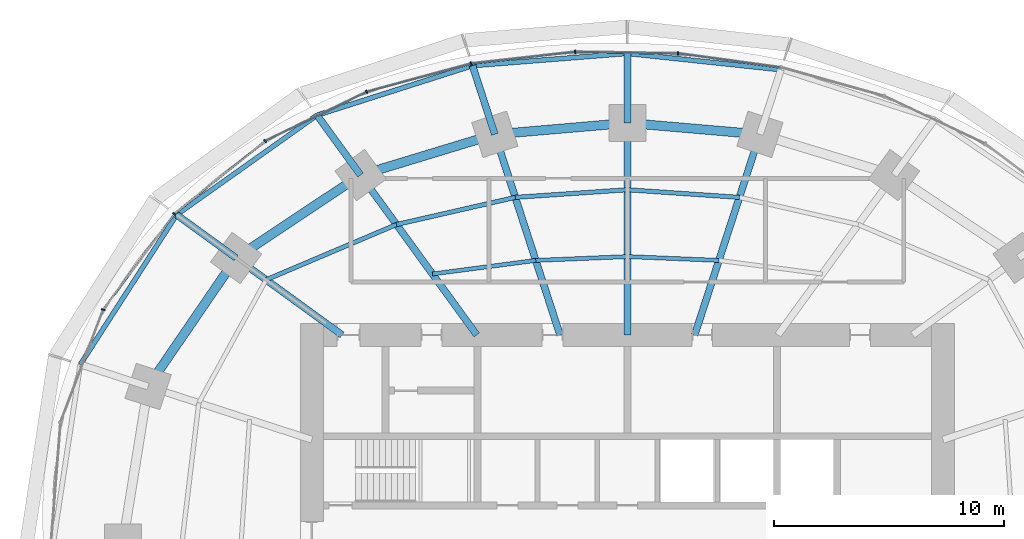
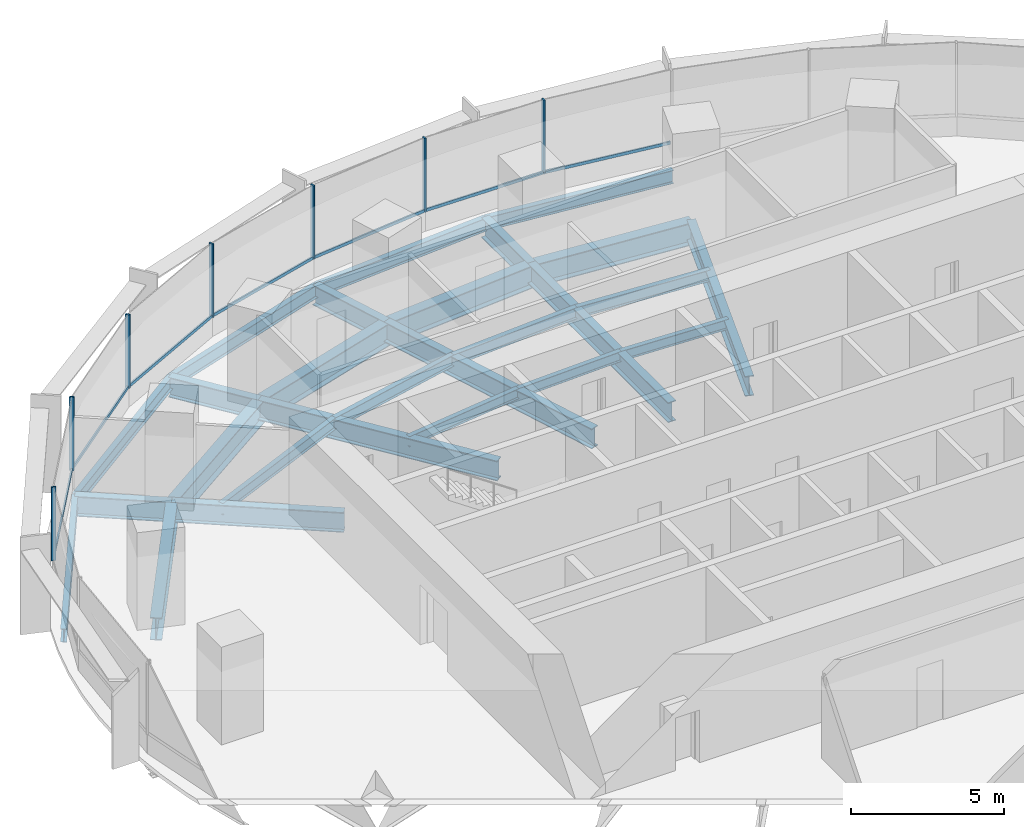
# One storey, part 7 of 14: 26 beams, 14 members, 2 elements without a shape of their own.
"""IFC4 building model written with IfcOpenShell, lengths in metres."""

import ifcopenshell
import ifcopenshell.guid

model = None  # the IFC model being written
_history = None  # IfcOwnerHistory: only IFC2X3 demands one
_inside = {}  # id of a spatial element -> (the spatial element, [elements in it])
_under = {}  # id of a project, library or spatial element -> (it, [spatial elements below it])
_declared = {}  # id of a project -> (the project, [libraries it declares])
_typed = {}  # id of a type object -> (the type object, [elements of that type])
_made_of = {}  # id of a material, layer set ... -> (it, [elements and type objects made of it])


def new_model(schema):
    """Start an empty IFC model of exactly this schema.

    Asked for "IFC4X3", IfcOpenShell would pick the latest addendum, in which some entities
    have other attributes; the version numbers below select the first issue.
    IFC2X3 requires an IfcOwnerHistory on every rooted entity: one is made here for all.
    """
    global model, _history
    if schema == "IFC4X3":
        model = ifcopenshell.file(schema_version=(4, 3, 0, 0))
    else:
        model = ifcopenshell.file(schema=schema)
    _inside.clear()
    _under.clear()
    _declared.clear()
    _typed.clear()
    _made_of.clear()
    _history = None
    if model.schema == "IFC2X3":
        org = make("IfcOrganization", Name="unknown")
        user = make(
            "IfcPersonAndOrganization",
            ThePerson=make("IfcPerson", FamilyName="unknown"),
            TheOrganization=org,
        )
        app = make(
            "IfcApplication",
            ApplicationDeveloper=org,
            Version="unknown",
            ApplicationFullName="unknown",
            ApplicationIdentifier="unknown",
        )
        _history = make(
            "IfcOwnerHistory",
            OwningUser=user,
            OwningApplication=app,
            ChangeAction="ADDED",
            CreationDate=0,
        )
    return model


def make(cls, **values):
    """One entity of the class cls with the attributes given. An attribute that is None is left unset."""
    return model.create_entity(
        cls, **{name: value for name, value in values.items() if value is not None}
    )


def rooted(cls, **values):
    """An entity with a GlobalId (a new one), such as an element, a storey or a relation."""
    return make(cls, GlobalId=ifcopenshell.guid.new(), OwnerHistory=_history, **values)


def si_unit(unit_type, name, prefix=None):
    """IfcSIUnit, for example si_unit("LENGTHUNIT", "METRE", prefix="MILLI")."""
    return make("IfcSIUnit", UnitType=unit_type, Prefix=prefix, Name=name)


def assignment(units):
    """IfcUnitAssignment: the units of a project."""
    return None if units is None else make("IfcUnitAssignment", Units=units)


def point(xyz):
    """IfcCartesianPoint."""
    return None if xyz is None else make("IfcCartesianPoint", Coordinates=xyz)


def direction(xyz):
    """IfcDirection."""
    return None if xyz is None else make("IfcDirection", DirectionRatios=xyz)


def frame(location, z_axis=None, x_axis=None):
    """IfcAxis2Placement3D, a coordinate frame: its origin and axes. An axis left out is left unset."""
    return make(
        "IfcAxis2Placement3D",
        Location=point(location),
        Axis=direction(z_axis),
        RefDirection=direction(x_axis),
    )


def frame_2d(location, x_axis=None):
    """IfcAxis2Placement2D, a coordinate frame in the plane: its origin and x axis."""
    return make(
        "IfcAxis2Placement2D", Location=point(location), RefDirection=direction(x_axis)
    )


def origin():
    """The frame at (0, 0, 0) with its axes left unset."""
    return frame((0.0, 0.0, 0.0))


def origin_2d():
    """The frame at (0, 0) in the plane with its x axis left unset."""
    return frame_2d((0.0, 0.0))


def place(relative_to, where):
    """IfcLocalPlacement: puts the frame where relative to a parent placement (None: the world)."""
    return make(
        "IfcLocalPlacement", PlacementRelTo=relative_to, RelativePlacement=where
    )


def context(
    kind, dimensions, precision=None, world=None, true_north=None, identifier=None
):
    """IfcGeometricRepresentationContext, for example the 3D "Model" context."""
    return make(
        "IfcGeometricRepresentationContext",
        ContextIdentifier=identifier,
        ContextType=kind,
        CoordinateSpaceDimension=dimensions,
        Precision=precision,
        WorldCoordinateSystem=world,
        TrueNorth=true_north,
    )


def subcontext(parent, identifier, kind, view, scale=None):
    """IfcGeometricRepresentationSubContext, for example "Body" below "Model"."""
    return make(
        "IfcGeometricRepresentationSubContext",
        ContextIdentifier=identifier,
        ContextType=kind,
        ParentContext=parent,
        TargetScale=scale,
        TargetView=view,
    )


def project(units=None, contexts=None):
    """IfcProject with its units and contexts."""
    return rooted(
        "IfcProject",
        Name="project",
        RepresentationContexts=contexts,
        UnitsInContext=assignment(units),
    )


def spatial(cls, under=None, at=None, **own):
    """A site, building, storey or space (cls), placed at a placement, below another one or the project."""
    s = rooted(cls, ObjectPlacement=at, **own)
    if under is not None:
        _under.setdefault(under.id(), (under, []))[1].append(s)
    return s


def profile(cls, at=None, kind="AREA", **sizes):
    """A parametric profile (cls). Its sizes go by their IFC names, for example OverallWidth=200.0."""
    return make(cls, ProfileType=kind, Position=at, **sizes)


def rectangle(**sizes):
    """IfcRectangleProfileDef."""
    return profile("IfcRectangleProfileDef", **sizes)


def i_section(**sizes):
    """IfcIShapeProfileDef."""
    return profile("IfcIShapeProfileDef", **sizes)


def extrude(swept, where, along, depth):
    """IfcExtrudedAreaSolid: the profile swept, set in the frame where, extruded along a direction by depth."""
    return make(
        "IfcExtrudedAreaSolid",
        SweptArea=swept,
        Position=where,
        ExtrudedDirection=direction(along),
        Depth=depth,
    )


def shape(context_of_items, identifier, shape_type, items):
    """IfcShapeRepresentation: the items that make up one representation, for example the "Body"."""
    return make(
        "IfcShapeRepresentation",
        ContextOfItems=context_of_items,
        RepresentationIdentifier=identifier,
        RepresentationType=shape_type,
        Items=items,
    )


def material(Name=None, Category=None):
    """IfcMaterial."""
    return make("IfcMaterial", Name=Name, Category=Category)


def material_profile(
    of_material, cross_section, Name=None, Category=None, Priority=None
):
    """IfcMaterialProfile: a cross section and its material."""
    return make(
        "IfcMaterialProfile",
        Name=Name,
        Material=of_material,
        Profile=cross_section,
        Priority=Priority,
        Category=Category,
    )


def profile_set(profiles, Name=None, composite=None):
    """IfcMaterialProfileSet."""
    return make(
        "IfcMaterialProfileSet",
        Name=Name,
        MaterialProfiles=profiles,
        CompositeProfile=composite,
    )


def made_of(thing, what):
    """Note that an element or type object is made of a material, layer set ...; save() writes the relation."""
    if what is not None:
        _made_of.setdefault(what.id(), (what, []))[1].append(thing)
    return thing


def type_object(cls, material=None, **own):
    """A type object (cls), such as IfcWallType, which elements share."""
    return made_of(rooted(cls, **own), material)


def element(
    cls,
    number,
    at=None,
    inside=None,
    cuts=None,
    type_object=None,
    material=None,
    context=None,
    identifier="Body",
    shape_type=None,
    held_by="IfcProductDefinitionShape",
    body=None,
    shapes=None,
    **own,
):
    """One element of the class cls, such as IfcWall. Its Tag is "e" and its number.

    at: its placement. inside: the storey or other place that contains it. cuts: it is an
    opening in that element (IfcRelVoidsElement). A single representation is given by context,
    identifier, shape_type and body (its items); several are given by shapes. held_by: the class
    of the entity that holds the representations. save() writes the other relations.
    """
    e = rooted(cls, Tag="e%d" % number, ObjectPlacement=at, **own)
    if body is not None:
        shapes = [shape(context, identifier, shape_type, body)]
    if shapes is not None:
        e.Representation = make(held_by, Representations=shapes)
    if inside is not None:
        _inside.setdefault(inside.id(), (inside, []))[1].append(e)
    if cuts is not None:
        rooted(
            "IfcRelVoidsElement", RelatingBuildingElement=cuts, RelatedOpeningElement=e
        )
    if type_object is not None:
        _typed.setdefault(type_object.id(), (type_object, []))[1].append(e)
    return made_of(e, material)


def aggregate(whole, parts):
    """IfcRelAggregates: a whole, such as a stair, and the parts it consists of."""
    return rooted("IfcRelAggregates", RelatingObject=whole, RelatedObjects=parts)


def save(model, path):
    """Write the relations noted so far, then the file.

    IfcRelAggregates (storeys below a building ...), IfcRelContainedInSpatialStructure (elements
    in a storey), IfcRelDefinesByType, IfcRelAssociatesMaterial and IfcRelDeclares: one each for
    every whole, place, type object, material and project.
    """
    for whole, parts in _under.values():
        aggregate(whole, parts)
    for where, things in _inside.values():
        rooted(
            "IfcRelContainedInSpatialStructure",
            RelatedElements=things,
            RelatingStructure=where,
        )
    for kind, things in _typed.values():
        rooted("IfcRelDefinesByType", RelatedObjects=things, RelatingType=kind)
    for what, things in _made_of.values():
        rooted("IfcRelAssociatesMaterial", RelatedObjects=things, RelatingMaterial=what)
    for by, libraries in _declared.values():
        rooted("IfcRelDeclares", RelatingContext=by, RelatedDefinitions=libraries)
    model.write(path)


model = new_model("IFC4")

# Units and contexts
model_context = context("Model", 3, precision=1e-05, world=origin(), true_north=direction((0.0, 1.0)))
body_context = subcontext(model_context, "Body", "Model", "MODEL_VIEW")
ifc_project = project(units=[si_unit("LENGTHUNIT", "METRE"), si_unit("AREAUNIT", "SQUARE_METRE"), si_unit("VOLUMEUNIT", "CUBIC_METRE"), si_unit("PLANEANGLEUNIT", "RADIAN"), si_unit("MASSUNIT", "GRAM", prefix="KILO")], contexts=[model_context])

# Site, building, storey
site_placement = place(None, origin())
site = spatial("IfcSite", under=ifc_project, at=site_placement, CompositionType="ELEMENT")
building_placement = place(site_placement, origin())
building = spatial("IfcBuilding", under=site, at=building_placement, Name="Marramba Exchange Tower", CompositionType="ELEMENT")
storey_placement = place(building_placement, frame((0.0, 0.0, 154.800048828125)))
storey = spatial("IfcBuildingStorey", under=building, at=storey_placement, Name="L37", CompositionType="ELEMENT", Elevation=154.800048828125)

# Beams
ifc_material_1 = material(Name="Steel AS/NZS 3679.2 grade 300", Category="steel")
ifc_material_profile_1 = material_profile(ifc_material_1, i_section(OverallWidth=0.300048828125, OverallDepth=0.800048828125, WebThickness=0.013916015625, FlangeThickness=0.031982421875, at=origin_2d()), Name="800WB192")
ifc_profile_set_1 = profile_set([ifc_material_profile_1], Name="Steel AS/NZS 3679.2 grade 300")
beam_type_1 = type_object("IfcBeamType", Name="Cantilever girder 800WB192", PredefinedType="BEAM", material=ifc_profile_set_1)
beam_1_placement = place(storey_placement, frame((0.0, 18.2041015625, -0.56005859375), z_axis=(0.0, 1.0, 0.0), x_axis=(-1.0, 0.0, 0.0)))
element("IfcBeam", 1, at=beam_1_placement, inside=storey, type_object=beam_type_1, Name="Cantilever girder L37 TC06", PredefinedType="BEAM", context=body_context, shape_type="SweptSolid", body=[
    extrude(i_section(OverallWidth=0.300048828125, OverallDepth=0.800048828125, WebThickness=0.013916015625, FlangeThickness=0.031982421875, at=origin_2d()), origin(), (0.0, 0.0, 1.0), 3.01904296875),
])
beam_2_placement = place(storey_placement, frame((-5.75390625, 17.70849609375, -0.56005859375), z_axis=(-0.309028002802, 0.95105293937, 0.0), x_axis=(-0.95105293937, -0.309028002802, 0.0)))
element("IfcBeam", 2, at=beam_2_placement, inside=storey, type_object=beam_type_1, Name="Cantilever girder L37 TC07", PredefinedType="BEAM", context=body_context, shape_type="SweptSolid", body=[
    extrude(i_section(OverallWidth=0.300048828125, OverallDepth=0.800048828125, WebThickness=0.013916015625, FlangeThickness=0.031982421875, at=origin_2d()), origin(), (0.0, 0.0, 1.0), 3.13720703125),
])
beam_3_placement = place(storey_placement, frame((-11.581298828125, 15.9404296875, -0.56005859375), z_axis=(-0.587828447158, 0.808985609706, 0.0), x_axis=(-0.808985609706, -0.587828447158, 0.0)))
element("IfcBeam", 3, at=beam_3_placement, inside=storey, type_object=beam_type_1, Name="Cantilever girder L37 TC08", PredefinedType="BEAM", context=body_context, shape_type="SweptSolid", body=[
    extrude(i_section(OverallWidth=0.300048828125, OverallDepth=0.800048828125, WebThickness=0.013916015625, FlangeThickness=0.031982421875, at=origin_2d()), origin(), (0.0, 0.0, 1.0), 3.214599609375),
])
beam_4_placement = place(storey_placement, frame((-16.98583984375, 12.3408203125, -0.56005859375), z_axis=(-0.809013857915, 0.587789569234, 0.0), x_axis=(-0.587789569234, -0.809013857915, 0.0)))
element("IfcBeam", 4, at=beam_4_placement, inside=storey, type_object=beam_type_1, Name="Cantilever girder L37 TC09", PredefinedType="BEAM", context=body_context, shape_type="SweptSolid", body=[
    extrude(i_section(OverallWidth=0.300048828125, OverallDepth=0.800048828125, WebThickness=0.013916015625, FlangeThickness=0.031982421875, at=origin_2d()), origin(), (0.0, 0.0, 1.0), 3.191650390625),
])
ifc_material_2 = material(Name="Steel AS/NZS 3679.1 grade 300", Category="steel")
ifc_material_profile_2 = material_profile(ifc_material_2, i_section(OverallWidth=0.177978515625, OverallDepth=0.406005859375, WebThickness=0.0078125, FlangeThickness=0.0126953125, FilletRadius=0.011474609375, at=origin_2d()), Name="410UB59.7")
ifc_profile_set_2 = profile_set([ifc_material_profile_2], Name="Steel AS/NZS 3679.1 grade 300")
beam_type_2 = type_object("IfcBeamType", Name="Floor joist 410UB59.7", PredefinedType="JOIST", material=ifc_profile_set_2)
for number, where, z_axis, x_axis, name in (
    (5, (3.975830078125, 12.236083984375, -0.363037109375), (-0.999137002892, 0.041536122257, 0.0), (-0.041536122257, -0.999137002892, 0.0), "Joist L37 bay 05 row 1"),
    (6, (0.0, 12.4013671875, -0.363037109375), (-0.999137002892, -0.041536122257, 0.0), (0.041536122257, -0.999137002892, 0.0), "Joist L37 bay 06 row 1"),
):
    element("IfcBeam", number, at=place(storey_placement, frame(where, z_axis=z_axis, x_axis=x_axis)), inside=storey, type_object=beam_type_2, Name=name, PredefinedType="JOIST", context=body_context, shape_type="SweptSolid", body=[
        extrude(i_section(OverallWidth=0.177978515625, OverallDepth=0.406005859375, WebThickness=0.0078125, FlangeThickness=0.0126953125, FilletRadius=0.011474609375, at=origin_2d()), origin(), (0.0, 0.0, 1.0), 3.979248046875),
    ])
beam_5_placement = place(storey_placement, frame((-3.975830078125, 12.236083984375, -0.363037109375), z_axis=(-0.991480538255, -0.130254912618, 0.0), x_axis=(0.130254912618, -0.991480538255, 0.0)))
element("IfcBeam", 7, at=beam_5_placement, inside=storey, type_object=beam_type_2, Name="Joist L37 bay 07 row 1", PredefinedType="JOIST", context=body_context, shape_type="SweptSolid", body=[
    extrude(i_section(OverallWidth=0.177978515625, OverallDepth=0.406005859375, WebThickness=0.0078125, FlangeThickness=0.0126953125, FilletRadius=0.011474609375, at=origin_2d()), origin(), (0.0, 0.0, 1.0), 4.524658203125),
])
ifc_material_profile_3 = material_profile(ifc_material_2, i_section(OverallWidth=0.18994140625, OverallDepth=0.4541015625, WebThickness=0.008544921875, FlangeThickness=0.0126953125, FilletRadius=0.011474609375, at=origin_2d()), Name="460UB67.1")
ifc_profile_set_3 = profile_set([ifc_material_profile_3], Name="Steel AS/NZS 3679.1 grade 300")
beam_type_3 = type_object("IfcBeamType", Name="Floor joist 460UB67.1", PredefinedType="JOIST", material=ifc_profile_set_3)
for number, where, z_axis, x_axis, name in (
    (8, (4.86474609375, 14.972412109375, -0.386962890625), (-0.997702652202, 0.067745241816, 0.0), (-0.067745241816, -0.997702652202, 0.0), "Joist L37 bay 05 row 2"),
    (9, (0.0, 15.302734375, -0.386962890625), (-0.997702652202, -0.067745241816, 0.0), (0.067745241816, -0.997702652202, 0.0), "Joist L37 bay 06 row 2"),
):
    element("IfcBeam", number, at=place(storey_placement, frame(where, z_axis=z_axis, x_axis=x_axis)), inside=storey, type_object=beam_type_3, Name=name, PredefinedType="JOIST", context=body_context, shape_type="SweptSolid", body=[
        extrude(i_section(OverallWidth=0.18994140625, OverallDepth=0.4541015625, WebThickness=0.008544921875, FlangeThickness=0.0126953125, FilletRadius=0.011474609375, at=origin_2d()), origin(), (0.0, 0.0, 1.0), 4.8759765625),
    ])
beam_6_placement = place(storey_placement, frame((-4.86474609375, 14.972412109375, -0.386962890625), z_axis=(-0.974859652292, -0.222819788916, 0.0), x_axis=(0.222819788916, -0.974859652292, 0.0)))
element("IfcBeam", 10, at=beam_6_placement, inside=storey, type_object=beam_type_3, Name="Joist L37 bay 07 row 2", PredefinedType="JOIST", context=body_context, shape_type="SweptSolid", body=[
    extrude(i_section(OverallWidth=0.18994140625, OverallDepth=0.4541015625, WebThickness=0.008544921875, FlangeThickness=0.0126953125, FilletRadius=0.011474609375, at=origin_2d()), origin(), (0.0, 0.0, 1.0), 5.2900390625),
])
beam_7_placement = place(storey_placement, frame((-10.021728515625, 13.793701171875, -0.386962890625), z_axis=(-0.920674336375, -0.390331610738, 0.0), x_axis=(0.390331610738, -0.920674336375, 0.0)))
element("IfcBeam", 11, at=beam_7_placement, inside=storey, type_object=beam_type_3, Name="Joist L37 bay 08 row 2", PredefinedType="JOIST", context=body_context, shape_type="SweptSolid", body=[
    extrude(i_section(OverallWidth=0.18994140625, OverallDepth=0.4541015625, WebThickness=0.008544921875, FlangeThickness=0.0126953125, FilletRadius=0.011474609375, at=origin_2d()), origin(), (0.0, 0.0, 1.0), 6.1484375),
])

# Curtain wall, members
ifc_material_3 = material(Name="Aluminium framing, bronze anodised", Category="aluminium")
curtain_wall_type = type_object("IfcCurtainWallType", Name="Office ribbon curtain wall", PredefinedType="USERDEFINED", material=ifc_material_3)
curtain_wall_1_placement = place(storey_placement, origin())
curtain_wall_1 = element("IfcCurtainWall", 12, at=curtain_wall_1_placement, inside=storey, type_object=curtain_wall_type, Name="Curtain wall CW4 L37 F06-F10", ObjectType="RIBBON CURTAIN WALL", PredefinedType="USERDEFINED")
ifc_material_4 = material(Name="Aluminium mullion, bronze anodised", Category="aluminium")
ifc_material_profile_4 = material_profile(ifc_material_4, rectangle(XDim=0.159912109375, YDim=0.06005859375, at=origin_2d()), Name="CW4 mullion 60x160")
ifc_profile_set_4 = profile_set([ifc_material_profile_4], Name="Aluminium mullion, bronze anodised")
member_type_1 = type_object("IfcMemberType", Name="Office ribbon curtain wall mullion", PredefinedType="MULLION", material=ifc_profile_set_4)
member_1_placement = place(storey_placement, frame((2.200439453125, 21.2216796875, 0.800048828125), z_axis=(0.0, 0.0, 1.0), x_axis=(-0.01575578169, -0.999875869968, 0.0)))
member_1 = element("IfcMember", 13, at=member_1_placement, type_object=member_type_1, Name="CW4 mullion 1", PredefinedType="MULLION", context=body_context, shape_type="SweptSolid", body=[
    extrude(rectangle(XDim=0.159912109375, YDim=0.06005859375, at=origin_2d()), origin(), (0.0, 0.0, 1.0), 2.93994140625),
])
member_2_placement = place(storey_placement, frame((-2.267578125, 21.288330078125, 0.800048828125), z_axis=(0.0, 0.0, 1.0), x_axis=(0.110973233233, -0.993823395532, 0.0)))
member_2 = element("IfcMember", 14, at=member_2_placement, type_object=member_type_1, Name="CW4 mullion 1", PredefinedType="MULLION", context=body_context, shape_type="SweptSolid", body=[
    extrude(rectangle(XDim=0.159912109375, YDim=0.06005859375, at=origin_2d()), origin(), (0.0, 0.0, 1.0), 2.93994140625),
])
member_3_placement = place(storey_placement, frame((-6.783203125, 20.779541015625, 0.800048828125), z_axis=(0.0, 0.0, 1.0), x_axis=(0.260321294588, -0.965522047176, 0.0)))
member_3 = element("IfcMember", 15, at=member_3_placement, type_object=member_type_1, Name="CW4 mullion 1", PredefinedType="MULLION", context=body_context, shape_type="SweptSolid", body=[
    extrude(rectangle(XDim=0.159912109375, YDim=0.06005859375, at=origin_2d()), origin(), (0.0, 0.0, 1.0), 2.93994140625),
])

curtain_wall_2_placement = place(storey_placement, origin())
curtain_wall_2 = element("IfcCurtainWall", 16, at=curtain_wall_2_placement, inside=storey, type_object=curtain_wall_type, Name="Curtain wall CW4 L37 F11-F15", ObjectType="RIBBON CURTAIN WALL", PredefinedType="USERDEFINED")
member_4_placement = place(storey_placement, frame((-11.32177734375, 19.550048828125, 0.800048828125), z_axis=(0.0, 0.0, 1.0), x_axis=(0.435427626771, -0.900223739881, 0.0)))
member_4 = element("IfcMember", 17, at=member_4_placement, type_object=member_type_1, Name="CW4 mullion 1", PredefinedType="MULLION", context=body_context, shape_type="SweptSolid", body=[
    extrude(rectangle(XDim=0.159912109375, YDim=0.06005859375, at=origin_2d()), origin(), (0.0, 0.0, 1.0), 2.93994140625),
])
member_5_placement = place(storey_placement, frame((-15.720703125, 17.414794921875, 0.800048828125), z_axis=(0.0, 0.0, 1.0), x_axis=(0.624307950145, -0.78117833008, 0.0)))
member_5 = element("IfcMember", 18, at=member_5_placement, type_object=member_type_1, Name="CW4 mullion 1", PredefinedType="MULLION", context=body_context, shape_type="SweptSolid", body=[
    extrude(rectangle(XDim=0.159912109375, YDim=0.06005859375, at=origin_2d()), origin(), (0.0, 0.0, 1.0), 2.93994140625),
])
member_6_placement = place(storey_placement, frame((-19.666748046875, 14.251708984375, 0.800048828125), z_axis=(0.0, 0.0, 1.0), x_axis=(0.80171686484, -0.597703997504, 0.0)))
member_6 = element("IfcMember", 19, at=member_6_placement, type_object=member_type_1, Name="CW4 mullion 1", PredefinedType="MULLION", context=body_context, shape_type="SweptSolid", body=[
    extrude(rectangle(XDim=0.159912109375, YDim=0.06005859375, at=origin_2d()), origin(), (0.0, 0.0, 1.0), 2.93994140625),
])
member_7_placement = place(storey_placement, frame((-22.75341796875, 10.09765625, 0.800048828125), z_axis=(0.0, 0.0, 1.0), x_axis=(0.934925346317, -0.354844468484, 0.0)))
member_7 = element("IfcMember", 20, at=member_7_placement, type_object=member_type_1, Name="CW4 mullion 1", PredefinedType="MULLION", context=body_context, shape_type="SweptSolid", body=[
    extrude(rectangle(XDim=0.159912109375, YDim=0.06005859375, at=origin_2d()), origin(), (0.0, 0.0, 1.0), 2.93994140625),
])

# Member
ifc_material_5 = material(Name="Aluminium transom, bronze anodised", Category="aluminium")
ifc_material_profile_5 = material_profile(ifc_material_5, rectangle(XDim=0.06005859375, YDim=0.1201171875, at=origin_2d()), Name="CW4 transom 60x120")
ifc_profile_set_5 = profile_set([ifc_material_profile_5], Name="Aluminium transom, bronze anodised")
member_type_2 = type_object("IfcMemberType", Name="Office ribbon curtain wall transom", PredefinedType="USERDEFINED", material=ifc_profile_set_5)
member_8_placement = place(storey_placement, frame((6.636962890625, 20.6171875, 0.829833984375), z_axis=(-0.990736067897, 0.135801486619, 0.0), x_axis=(-0.135801486619, -0.990736067897, 0.0)))
member_8 = element("IfcMember", 21, at=member_8_placement, type_object=member_type_2, Name="CW4 sill transom", ObjectType="TRANSOM", PredefinedType="USERDEFINED", context=body_context, shape_type="SweptSolid", body=[
    extrude(rectangle(XDim=0.06005859375, YDim=0.1201171875, at=origin_2d()), origin(), (0.0, 0.0, 1.0), 4.44775390625),
])

member_9_placement = place(storey_placement, frame((2.17041015625, 21.22216796875, 0.829833984375), z_axis=(-0.999875452363, 0.015782260962, 0.0), x_axis=(-0.015782260962, -0.999875452363, 0.0)))
member_9 = element("IfcMember", 22, at=member_9_placement, type_object=member_type_2, Name="CW4 sill transom", ObjectType="TRANSOM", PredefinedType="USERDEFINED", context=body_context, shape_type="SweptSolid", body=[
    extrude(rectangle(XDim=0.06005859375, YDim=0.1201171875, at=origin_2d()), origin(), (0.0, 0.0, 1.0), 4.40869140625),
])

member_10_placement = place(storey_placement, frame((-2.29736328125, 21.284912109375, 0.829833984375), z_axis=(-0.993825837835, -0.110951358943, 0.0), x_axis=(0.110951358943, -0.993825837835, 0.0)))
member_10 = element("IfcMember", 23, at=member_10_placement, type_object=member_type_2, Name="CW4 sill transom", ObjectType="TRANSOM", PredefinedType="USERDEFINED", context=body_context, shape_type="SweptSolid", body=[
    extrude(rectangle(XDim=0.06005859375, YDim=0.1201171875, at=origin_2d()), origin(), (0.0, 0.0, 1.0), 4.484375),
])

member_11_placement = place(storey_placement, frame((-6.812255859375, 20.771728515625, 0.829833984375), z_axis=(-0.965511085148, -0.260361948942, 0.0), x_axis=(0.260361948942, -0.965511085148, 0.0)))
member_11 = element("IfcMember", 24, at=member_11_placement, type_object=member_type_2, Name="CW4 sill transom", ObjectType="TRANSOM", PredefinedType="USERDEFINED", context=body_context, shape_type="SweptSolid", body=[
    extrude(rectangle(XDim=0.06005859375, YDim=0.1201171875, at=origin_2d()), origin(), (0.0, 0.0, 1.0), 4.642578125),
])

aggregate(curtain_wall_1, [member_8, member_1, member_9, member_2, member_10, member_3, member_11])

member_12_placement = place(storey_placement, frame((-11.348876953125, 19.536865234375, 0.829833984375), z_axis=(-0.900223166385, -0.435428812442, 0.0), x_axis=(0.435428812442, -0.900223166385, 0.0)))
member_12 = element("IfcMember", 25, at=member_12_placement, type_object=member_type_2, Name="CW4 sill transom", ObjectType="TRANSOM", PredefinedType="USERDEFINED", context=body_context, shape_type="SweptSolid", body=[
    extrude(rectangle(XDim=0.06005859375, YDim=0.1201171875, at=origin_2d()), origin(), (0.0, 0.0, 1.0), 4.830322265625),
])

member_13_placement = place(storey_placement, frame((-15.744140625, 17.396240234375, 0.829833984375), z_axis=(-0.781164169531, -0.624325668414, 0.0), x_axis=(0.624325668414, -0.781164169531, 0.0)))
member_13 = element("IfcMember", 26, at=member_13_placement, type_object=member_type_2, Name="CW4 sill transom", ObjectType="TRANSOM", PredefinedType="USERDEFINED", context=body_context, shape_type="SweptSolid", body=[
    extrude(rectangle(XDim=0.06005859375, YDim=0.1201171875, at=origin_2d()), origin(), (0.0, 0.0, 1.0), 4.998291015625),
])

member_14_placement = place(storey_placement, frame((-19.6845703125, 14.2275390625, 0.829833984375), z_axis=(-0.597714731658, -0.801708862093, 0.0), x_axis=(0.801708862093, -0.597714731658, 0.0)))
member_14 = element("IfcMember", 27, at=member_14_placement, type_object=member_type_2, Name="CW4 sill transom", ObjectType="TRANSOM", PredefinedType="USERDEFINED", context=body_context, shape_type="SweptSolid", body=[
    extrude(rectangle(XDim=0.06005859375, YDim=0.1201171875, at=origin_2d()), origin(), (0.0, 0.0, 1.0), 5.1162109375),
])

aggregate(curtain_wall_2, [member_4, member_12, member_5, member_13, member_6, member_14, member_7])

# Beams
ifc_material_profile_6 = material_profile(ifc_material_1, i_section(OverallWidth=0.300048828125, OverallDepth=0.800048828125, WebThickness=0.013916015625, FlangeThickness=0.031982421875, at=origin_2d()), Name="800WB192")
ifc_profile_set_6 = profile_set([ifc_material_profile_6], Name="Steel AS/NZS 3679.2 grade 300")
beam_type_4 = type_object("IfcBeamType", Name="Radial girder 800WB192", PredefinedType="BEAM", material=ifc_profile_set_6)
beam_8_placement = place(storey_placement, frame((2.92431640625, 9.0, -0.56005859375), z_axis=(0.309019754162, 0.951055619582, 0.0), x_axis=(-0.951055619582, 0.309019754162, 0.0)))
element("IfcBeam", 28, at=beam_8_placement, inside=storey, type_object=beam_type_4, Name="Radial girder L37 TC05", PredefinedType="BEAM", context=body_context, shape_type="SweptSolid", body=[
    extrude(i_section(OverallWidth=0.300048828125, OverallDepth=0.800048828125, WebThickness=0.013916015625, FlangeThickness=0.031982421875, at=origin_2d()), origin(), (0.0, 0.0, 1.0), 9.15673828125),
])
beam_9_placement = place(storey_placement, frame((0.0, 9.0, -0.56005859375), z_axis=(0.0, 1.0, 0.0), x_axis=(-1.0, 0.0, 0.0)))
element("IfcBeam", 29, at=beam_9_placement, inside=storey, type_object=beam_type_4, Name="Radial girder L37 TC06", PredefinedType="BEAM", context=body_context, shape_type="SweptSolid", body=[
    extrude(i_section(OverallWidth=0.300048828125, OverallDepth=0.800048828125, WebThickness=0.013916015625, FlangeThickness=0.031982421875, at=origin_2d()), origin(), (0.0, 0.0, 1.0), 9.2041015625),
])
beam_10_placement = place(storey_placement, frame((-2.92431640625, 9.0, -0.56005859375), z_axis=(-0.309019754162, 0.951055619582, 0.0), x_axis=(-0.951055619582, -0.309019754162, 0.0)))
element("IfcBeam", 30, at=beam_10_placement, inside=storey, type_object=beam_type_4, Name="Radial girder L37 TC07", PredefinedType="BEAM", context=body_context, shape_type="SweptSolid", body=[
    extrude(i_section(OverallWidth=0.300048828125, OverallDepth=0.800048828125, WebThickness=0.013916015625, FlangeThickness=0.031982421875, at=origin_2d()), origin(), (0.0, 0.0, 1.0), 9.15673828125),
])
beam_11_placement = place(storey_placement, frame((-6.538818359375, 9.0, -0.56005859375), z_axis=(-0.587782439969, 0.80901903764, 0.0), x_axis=(-0.80901903764, -0.587782439969, 0.0)))
element("IfcBeam", 31, at=beam_11_placement, inside=storey, type_object=beam_type_4, Name="Radial girder L37 TC08", PredefinedType="BEAM", context=body_context, shape_type="SweptSolid", body=[
    extrude(i_section(OverallWidth=0.300048828125, OverallDepth=0.800048828125, WebThickness=0.013916015625, FlangeThickness=0.031982421875, at=origin_2d()), origin(), (0.0, 0.0, 1.0), 8.578857421875),
])
beam_12_placement = place(storey_placement, frame((-12.387451171875, 9.0, -0.56005859375), z_axis=(-0.809025746925, 0.587773205252, 0.0), x_axis=(-0.587773205252, -0.809025746925, 0.0)))
element("IfcBeam", 32, at=beam_12_placement, inside=storey, type_object=beam_type_4, Name="Radial girder L37 TC09", PredefinedType="BEAM", context=body_context, shape_type="SweptSolid", body=[
    extrude(i_section(OverallWidth=0.300048828125, OverallDepth=0.800048828125, WebThickness=0.013916015625, FlangeThickness=0.031982421875, at=origin_2d()), origin(), (0.0, 0.0, 1.0), 5.683837890625),
])
ifc_material_profile_7 = material_profile(ifc_material_1, i_section(OverallWidth=0.39990234375, OverallDepth=0.89990234375, WebThickness=0.01611328125, FlangeThickness=0.031982421875, at=origin_2d()), Name="900WB282")
ifc_profile_set_7 = profile_set([ifc_material_profile_7], Name="Steel AS/NZS 3679.2 grade 300")
beam_type_5 = type_object("IfcBeamType", Name="Ring beam 900WB282", PredefinedType="SPANDREL", material=ifc_profile_set_7)
for number, where, z_axis, x_axis, name in (
    (33, (5.75390625, 17.70849609375, -0.610107421875), (-0.996311003275, 0.085815993578, 0.0), (-0.085815993578, -0.996311003275, 0.0), "Ring beam L37 TC05-TC06"),
    (34, (0.0, 18.2041015625, -0.610107421875), (-0.996311003275, -0.085815993578, 0.0), (0.085815993578, -0.996311003275, 0.0), "Ring beam L37 TC06-TC07"),
):
    element("IfcBeam", number, at=place(storey_placement, frame(where, z_axis=z_axis, x_axis=x_axis)), inside=storey, type_object=beam_type_5, Name=name, PredefinedType="SPANDREL", context=body_context, shape_type="SweptSolid", body=[
        extrude(i_section(OverallWidth=0.39990234375, OverallDepth=0.89990234375, WebThickness=0.01611328125, FlangeThickness=0.031982421875, at=origin_2d()), origin(), (0.0, 0.0, 1.0), 5.775146484375),
    ])
beam_13_placement = place(storey_placement, frame((-5.75390625, 17.70849609375, -0.610107421875), z_axis=(-0.956924542524, -0.290336735387, 0.0), x_axis=(0.290336735387, -0.956924542524, 0.0)))
element("IfcBeam", 35, at=beam_13_placement, inside=storey, type_object=beam_type_5, Name="Ring beam L37 TC07-TC08", PredefinedType="SPANDREL", context=body_context, shape_type="SweptSolid", body=[
    extrude(i_section(OverallWidth=0.39990234375, OverallDepth=0.89990234375, WebThickness=0.01611328125, FlangeThickness=0.031982421875, at=origin_2d()), origin(), (0.0, 0.0, 1.0), 6.089599609375),
])
beam_14_placement = place(storey_placement, frame((-11.581298828125, 15.9404296875, -0.610107421875), z_axis=(-0.832293151443, -0.554335737673, 0.0), x_axis=(0.554335737673, -0.832293151443, 0.0)))
element("IfcBeam", 36, at=beam_14_placement, inside=storey, type_object=beam_type_5, Name="Ring beam L37 TC08-TC09", PredefinedType="SPANDREL", context=body_context, shape_type="SweptSolid", body=[
    extrude(i_section(OverallWidth=0.39990234375, OverallDepth=0.89990234375, WebThickness=0.01611328125, FlangeThickness=0.031982421875, at=origin_2d()), origin(), (0.0, 0.0, 1.0), 6.49365234375),
])
beam_15_placement = place(storey_placement, frame((-16.98583984375, 12.3408203125, -0.610107421875), z_axis=(-0.56516002054, -0.824981303535, 0.0), x_axis=(0.824981303535, -0.56516002054, 0.0)))
element("IfcBeam", 37, at=beam_15_placement, inside=storey, type_object=beam_type_5, Name="Ring beam L37 TC09-TC10", PredefinedType="SPANDREL", context=body_context, shape_type="SweptSolid", body=[
    extrude(i_section(OverallWidth=0.39990234375, OverallDepth=0.89990234375, WebThickness=0.01611328125, FlangeThickness=0.031982421875, at=origin_2d()), origin(), (0.0, 0.0, 1.0), 6.763671875),
])
ifc_material_profile_8 = material_profile(ifc_material_2, i_section(OverallWidth=0.208984375, OverallDepth=0.528076171875, WebThickness=0.009521484375, FlangeThickness=0.01318359375, FilletRadius=0.013916015625, at=origin_2d()), Name="530UB82.0")
ifc_profile_set_8 = profile_set([ifc_material_profile_8], Name="Steel AS/NZS 3679.1 grade 300")
beam_type_6 = type_object("IfcBeamType", Name="Slab edge beam 530UB82.0", PredefinedType="SPANDREL", material=ifc_profile_set_8)
beam_16_placement = place(storey_placement, frame((6.66552734375, 20.51416015625, -0.424072265625), z_axis=(-0.994390706415, 0.105769196815, 0.0), x_axis=(-0.105769196815, -0.994390706415, 0.0)))
element("IfcBeam", 38, at=beam_16_placement, inside=storey, type_object=beam_type_6, Name="Slab edge beam L37 TC05-TC06", PredefinedType="SPANDREL", context=body_context, shape_type="SweptSolid", body=[
    extrude(i_section(OverallWidth=0.208984375, OverallDepth=0.528076171875, WebThickness=0.009521484375, FlangeThickness=0.01318359375, FilletRadius=0.013916015625, at=origin_2d()), origin(), (0.0, 0.0, 1.0), 6.703125),
])
beam_17_placement = place(storey_placement, frame((0.0, 21.22314453125, -0.424072265625), z_axis=(-0.996895681721, -0.078733726996, 0.0), x_axis=(0.078733726996, -0.996895681721, 0.0)))
element("IfcBeam", 39, at=beam_17_placement, inside=storey, type_object=beam_type_6, Name="Slab edge beam L37 TC06-TC07", PredefinedType="SPANDREL", context=body_context, shape_type="SweptSolid", body=[
    extrude(i_section(OverallWidth=0.208984375, OverallDepth=0.528076171875, WebThickness=0.009521484375, FlangeThickness=0.01318359375, FilletRadius=0.013916015625, at=origin_2d()), origin(), (0.0, 0.0, 1.0), 6.744384765625),
])
beam_18_placement = place(storey_placement, frame((-6.723388671875, 20.692138671875, -0.424072265625), z_axis=(-0.952755400854, -0.303738614839, 0.0), x_axis=(0.303738614839, -0.952755400854, 0.0)))
element("IfcBeam", 40, at=beam_18_placement, inside=storey, type_object=beam_type_6, Name="Slab edge beam L37 TC07-TC08", PredefinedType="SPANDREL", context=body_context, shape_type="SweptSolid", body=[
    extrude(i_section(OverallWidth=0.208984375, OverallDepth=0.528076171875, WebThickness=0.009521484375, FlangeThickness=0.01318359375, FilletRadius=0.013916015625, at=origin_2d()), origin(), (0.0, 0.0, 1.0), 7.08203125),
])
beam_19_placement = place(storey_placement, frame((-13.470947265625, 18.541015625, -0.424072265625), z_axis=(-0.815673202412, -0.578512944425, 0.0), x_axis=(0.578512944425, -0.815673202412, 0.0)))
element("IfcBeam", 41, at=beam_19_placement, inside=storey, type_object=beam_type_6, Name="Slab edge beam L37 TC08-TC09", PredefinedType="SPANDREL", context=body_context, shape_type="SweptSolid", body=[
    extrude(i_section(OverallWidth=0.208984375, OverallDepth=0.528076171875, WebThickness=0.009521484375, FlangeThickness=0.01318359375, FilletRadius=0.013916015625, at=origin_2d()), origin(), (0.0, 0.0, 1.0), 7.474609375),
])
beam_20_placement = place(storey_placement, frame((-19.56787109375, 14.216796875, -0.424072265625), z_axis=(-0.541060886597, -0.840983422544, 0.0), x_axis=(0.840983422544, -0.541060886597, 0.0)))
element("IfcBeam", 42, at=beam_20_placement, inside=storey, type_object=beam_type_6, Name="Slab edge beam L37 TC09-TC10", PredefinedType="SPANDREL", context=body_context, shape_type="SweptSolid", body=[
    extrude(i_section(OverallWidth=0.208984375, OverallDepth=0.528076171875, WebThickness=0.009521484375, FlangeThickness=0.01318359375, FilletRadius=0.013916015625, at=origin_2d()), origin(), (0.0, 0.0, 1.0), 7.72900390625),
])

save(model, "model.ifc")
